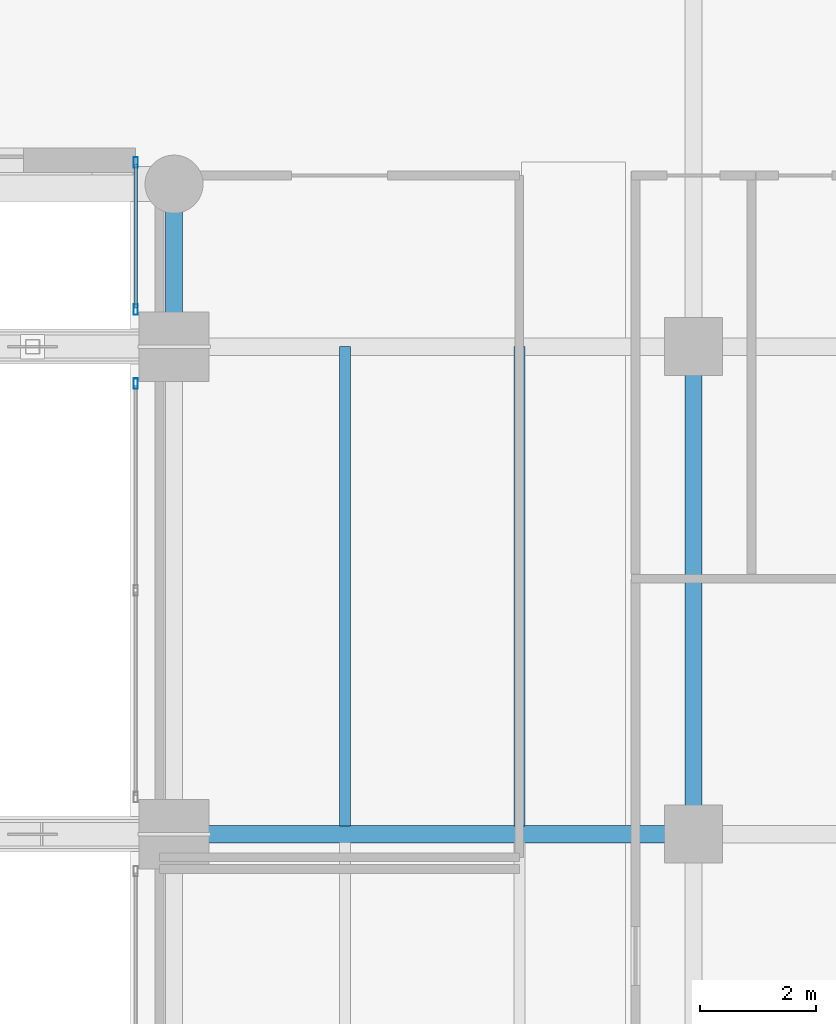
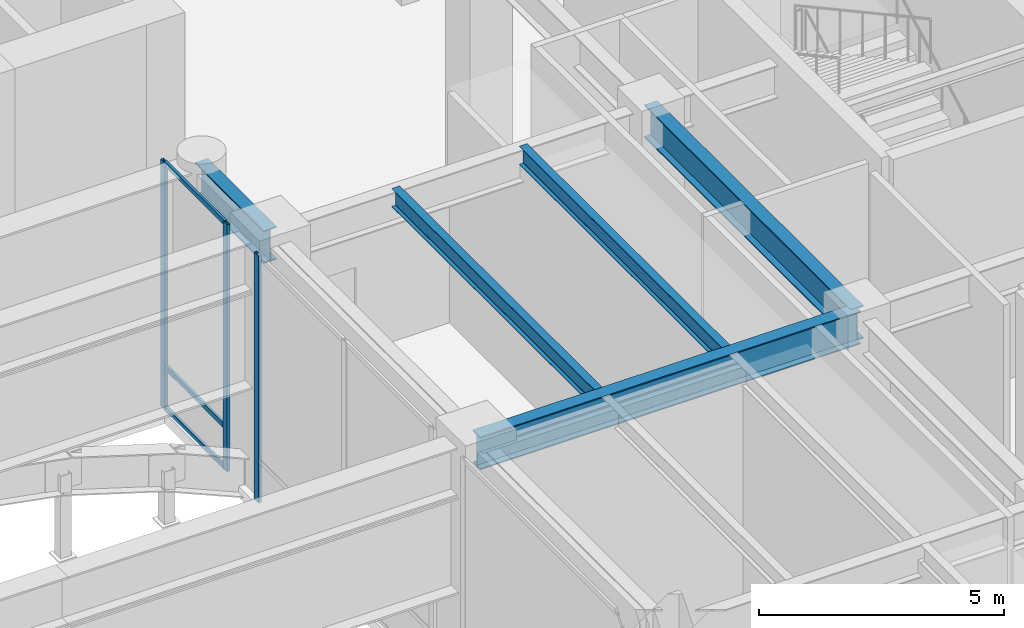
# One storey, part 26 of 50: 6 members, 5 beams, 2 elements without a shape of their own.
"""IFC4 building model written with IfcOpenShell, lengths in metres."""

from ifc_helpers import new_model, si_unit, direction, frame, origin, origin_2d, place, context, subcontext, project, spatial, hollow_rectangle, i_section, extrude, source, transform, mapped, material, layer, layer_set, material_profile, profile_set, type_object, type_shapes, element, aggregate, save


model = new_model("IFC4")

# Units and contexts
model_context = context("Model", 3, precision=1e-05, world=origin(), true_north=direction((0.0, 1.0)))
body_context = subcontext(model_context, "Body", "Model", "MODEL_VIEW")
ifc_project = project(units=[si_unit("LENGTHUNIT", "METRE"), si_unit("AREAUNIT", "SQUARE_METRE"), si_unit("VOLUMEUNIT", "CUBIC_METRE"), si_unit("PLANEANGLEUNIT", "RADIAN"), si_unit("MASSUNIT", "GRAM", prefix="KILO")], contexts=[model_context])

# Site, building, storey
site_placement = place(None, origin())
site = spatial("IfcSite", under=ifc_project, at=site_placement, CompositionType="ELEMENT")
building_placement = place(site_placement, origin())
building = spatial("IfcBuilding", under=site, at=building_placement, Name="Tolvann Quenvar Hotel", CompositionType="ELEMENT")
storey_placement = place(building_placement, frame((0.0, 0.0, 16.0)))
storey = spatial("IfcBuildingStorey", under=building, at=storey_placement, Name="L03", CompositionType="ELEMENT", Elevation=16.0)

# Beams
ifc_material_1 = material(Name="Steel Grade 350", Category="steel")
ifc_material_profile_1 = material_profile(ifc_material_1, i_section(OverallWidth=0.300048828125, OverallDepth=0.81591796875, WebThickness=0.010009765625, FlangeThickness=0.028076171875, at=origin_2d()), Name="800WB192")
ifc_profile_set_1 = profile_set([ifc_material_profile_1], Name="Steel Grade 350")
beam_type_1 = type_object("IfcBeamType", Name="BM_GIRD_800WB192", PredefinedType="BEAM", material=ifc_profile_set_1)
shared_shape_1 = source(origin(), body_context, "Body", "SweptSolid", [
    extrude(i_section(OverallWidth=0.300048828125, OverallDepth=0.81591796875, WebThickness=0.010009765625, FlangeThickness=0.028076171875, at=origin_2d()), origin(), (0.0, 0.0, 1.0), 8.39990234375),
])
beam_1_placement = place(storey_placement, frame((47.199951171875, 16.0, 5.73193359375), z_axis=(0.0, 1.0, 0.0), x_axis=(-1.0, 0.0, 0.0)))
element("IfcBeam", 1, at=beam_1_placement, inside=storey, type_object=beam_type_1, Name="BM-L03-NS-H-2", PredefinedType="BEAM", context=body_context, shape_type="MappedRepresentation", body=[
    mapped(shared_shape_1, transform((0.0, 0.0, 0.0), x_axis=(1.0, 0.0, 0.0), y_axis=(0.0, 1.0, 0.0), z_axis=(0.0, 0.0, 1.0), scale=1.0)),
])
shared_shape_2 = source(origin(), body_context, "Body", "SweptSolid", [
    extrude(i_section(OverallWidth=0.300048828125, OverallDepth=0.81591796875, WebThickness=0.010009765625, FlangeThickness=0.028076171875, at=origin_2d()), origin(), (0.0, 0.0, 1.0), 2.800048828125),
])
beam_2_placement = place(storey_placement, frame((38.25, 24.39990234375, 5.73193359375), z_axis=(0.0, 1.0, 0.0), x_axis=(-1.0, 0.0, 0.0)))
element("IfcBeam", 2, at=beam_2_placement, inside=storey, type_object=beam_type_1, Name="BM-L03-NS-APE-3", PredefinedType="BEAM", context=body_context, shape_type="MappedRepresentation", body=[
    mapped(shared_shape_2, transform((0.0, 0.0, 0.0), x_axis=(1.0, 0.0, 0.0), y_axis=(0.0, 1.0, 0.0), z_axis=(0.0, 0.0, 1.0), scale=1.0)),
])
shared_shape_3 = source(origin(), body_context, "Body", "SweptSolid", [
    extrude(i_section(OverallWidth=0.300048828125, OverallDepth=0.81591796875, WebThickness=0.010009765625, FlangeThickness=0.028076171875, at=origin_2d()), origin(), (0.0, 0.0, 1.0), 8.949951171875),
])
type_shapes(beam_type_1, [shared_shape_1, shared_shape_2, shared_shape_3])
beam_3_placement = place(storey_placement, frame((38.25, 16.0, 5.73193359375), z_axis=(1.0, 0.0, 0.0), x_axis=(0.0, 1.0, 0.0)))
element("IfcBeam", 3, at=beam_3_placement, inside=storey, type_object=beam_type_1, Name="BM-L03-GE1-3", PredefinedType="BEAM", context=body_context, shape_type="MappedRepresentation", body=[
    mapped(shared_shape_3, transform((0.0, 0.0, 0.0), x_axis=(1.0, 0.0, 0.0), y_axis=(0.0, 1.0, 0.0), z_axis=(0.0, 0.0, 1.0), scale=1.0)),
])
ifc_material_profile_2 = material_profile(ifc_material_1, i_section(OverallWidth=0.18994140625, OverallDepth=0.4541015625, WebThickness=0.008544921875, FlangeThickness=0.0126953125, FilletRadius=0.011474609375, at=origin_2d()), Name="460UB67")
ifc_profile_set_2 = profile_set([ifc_material_profile_2], Name="Steel Grade 350")
beam_type_2 = type_object("IfcBeamType", Name="BM_JOIST_460UB67", PredefinedType="JOIST", material=ifc_profile_set_2)
shared_shape_4 = source(origin(), body_context, "Body", "SweptSolid", [
    extrude(i_section(OverallWidth=0.18994140625, OverallDepth=0.4541015625, WebThickness=0.008544921875, FlangeThickness=0.0126953125, FilletRadius=0.011474609375, at=origin_2d()), origin(), (0.0, 0.0, 1.0), 8.255859375),
])
type_shapes(beam_type_2, [shared_shape_4])
for number, where, z_axis, x_axis, name in (
    (4, (41.199951171875, 16.14404296875, 5.9130859375), (0.0, 1.0, 0.0), (-1.0, 0.0, 0.0), "BJ-L03-412-160"),
    (5, (44.199951171875, 16.14404296875, 5.9130859375), (0.0, 1.0, 0.0), (-1.0, 0.0, 0.0), "BJ-L03-442-160"),
):
    element("IfcBeam", number, at=place(storey_placement, frame(where, z_axis=z_axis, x_axis=x_axis)), inside=storey, type_object=beam_type_2, Name=name, PredefinedType="JOIST", context=body_context, shape_type="MappedRepresentation", body=[
        mapped(shared_shape_4, transform((0.0, 0.0, 0.0), x_axis=(1.0, 0.0, 0.0), y_axis=(0.0, 1.0, 0.0), z_axis=(0.0, 0.0, 1.0), scale=1.0)),
    ])

# Curtain wall, members
ifc_material_2 = material(Name="Thermally broken anodised architectural aluminium 6063-T6 and laminated low-E glass", Category="aluminium")
ifc_layer = layer(ifc_material_2, 0.179931640625)
ifc_layer_set = layer_set([ifc_layer], Name="Thermally broken anodised architectural aluminium 6063-T6 and laminated low-E glass")
curtain_wall_type = type_object("IfcCurtainWallType", Name="CW_SYS_ARCH_01", PredefinedType="USERDEFINED", material=ifc_layer_set)
curtain_wall_1_placement = place(storey_placement, origin())
curtain_wall_1 = element("IfcCurtainWall", 6, at=curtain_wall_1_placement, inside=storey, type_object=curtain_wall_type, Name="Curtain Wall CW-ARCH-01 (CWR-L03-E03-S1)", ObjectType="UNITISED CURTAIN WALL", PredefinedType="USERDEFINED")
ifc_material_3 = material(Name="Anodised architectural aluminium 6063-T6 framing", Category="aluminium")
ifc_material_profile_3 = material_profile(ifc_material_3, hollow_rectangle(XDim=0.070068359375, YDim=0.179931640625, WallThickness=0.00390625, at=origin_2d()), Name="180x70x4RHS")
ifc_profile_set_3 = profile_set([ifc_material_profile_3], Name="Anodised architectural aluminium 6063-T6 framing")
member_type_1 = type_object("IfcMemberType", Name="CW_MULL_180x70", PredefinedType="MULLION", material=ifc_profile_set_3)
shared_shape_5 = source(origin(), body_context, "Body", "SweptSolid", [
    extrude(hollow_rectangle(XDim=0.070068359375, YDim=0.179931640625, WallThickness=0.00390625, at=origin_2d()), origin(), (0.0, 0.0, 1.0), 6.139892578125),
])
type_shapes(member_type_1, [shared_shape_5])
member_1_placement = place(storey_placement, frame((37.590087890625, 27.574951171875, 0.0), z_axis=(0.0, 0.0, 1.0), x_axis=(1.0, 0.0, 0.0)))
member_1 = element("IfcMember", 7, at=member_1_placement, type_object=member_type_1, Name="CW-ARCH-01 mullion 1", PredefinedType="MULLION", context=body_context, shape_type="MappedRepresentation", body=[
    mapped(shared_shape_5, transform((0.0, 0.0, 0.0), x_axis=(1.0, 0.0, 0.0), y_axis=(0.0, 1.0, 0.0), z_axis=(0.0, 0.0, 1.0), scale=1.0)),
])
member_2_placement = place(storey_placement, frame((37.590087890625, 25.0390625, 0.0), z_axis=(0.0, 0.0, 1.0), x_axis=(1.0, 0.0, 0.0)))
member_2 = element("IfcMember", 8, at=member_2_placement, type_object=member_type_1, Name="CW-ARCH-01 mullion 2", PredefinedType="MULLION", context=body_context, shape_type="MappedRepresentation", body=[
    mapped(shared_shape_5, transform((0.0, 0.0, 0.0), x_axis=(1.0, 0.0, 0.0), y_axis=(0.0, 1.0, 0.0), z_axis=(0.0, 0.0, 1.0), scale=1.0)),
])

# Curtain wall, member
curtain_wall_2_placement = place(storey_placement, origin())
curtain_wall_2 = element("IfcCurtainWall", 9, at=curtain_wall_2_placement, inside=storey, type_object=curtain_wall_type, Name="Curtain Wall CW-ARCH-01 (CWR-L03-E03-S2)", ObjectType="UNITISED CURTAIN WALL", PredefinedType="USERDEFINED")
member_3_placement = place(storey_placement, frame((37.590087890625, 23.760986328125, 0.0), z_axis=(0.0, 0.0, 1.0), x_axis=(1.0, 0.0, 0.0)))
member_3 = element("IfcMember", 10, at=member_3_placement, type_object=member_type_1, Name="CW-ARCH-01 mullion 1", PredefinedType="MULLION", context=body_context, shape_type="MappedRepresentation", body=[
    mapped(shared_shape_5, transform((0.0, 0.0, 0.0), x_axis=(1.0, 0.0, 0.0), y_axis=(0.0, 1.0, 0.0), z_axis=(0.0, 0.0, 1.0), scale=1.0)),
])
aggregate(curtain_wall_2, [member_3])

# Member
ifc_material_profile_4 = material_profile(ifc_material_3, hollow_rectangle(XDim=0.06005859375, YDim=0.1201171875, WallThickness=0.00341796875, at=origin_2d()), Name="120x60x3.5RHS")
ifc_profile_set_4 = profile_set([ifc_material_profile_4], Name="Anodised architectural aluminium 6063-T6 framing")
member_type_2 = type_object("IfcMemberType", Name="CW_TRAN_120x60", PredefinedType="USERDEFINED", material=ifc_profile_set_4)
shared_shape_6 = source(origin(), body_context, "Body", "SweptSolid", [
    extrude(hollow_rectangle(XDim=0.06005859375, YDim=0.1201171875, WallThickness=0.00341796875, at=origin_2d()), origin(), (0.0, 0.0, 1.0), 2.466064453125),
])
type_shapes(member_type_2, [shared_shape_6])
member_4_placement = place(storey_placement, frame((37.590087890625, 27.5400390625, 0.030029296875), z_axis=(0.0, -1.0, 0.0), x_axis=(1.0, 0.0, 0.0)))
member_4 = element("IfcMember", 11, at=member_4_placement, type_object=member_type_2, Name="CW-ARCH-01 transom 1.1", ObjectType="TRANSOM", PredefinedType="USERDEFINED", context=body_context, shape_type="MappedRepresentation", body=[
    mapped(shared_shape_6, transform((0.0, 0.0, 0.0), x_axis=(1.0, 0.0, 0.0), y_axis=(0.0, 1.0, 0.0), z_axis=(0.0, 0.0, 1.0), scale=1.0)),
])

member_5_placement = place(storey_placement, frame((37.590087890625, 27.5400390625, 1.050048828125), z_axis=(0.0, -1.0, 0.0), x_axis=(1.0, 0.0, 0.0)))
member_5 = element("IfcMember", 12, at=member_5_placement, type_object=member_type_2, Name="CW-ARCH-01 transom 1.2", ObjectType="TRANSOM", PredefinedType="USERDEFINED", context=body_context, shape_type="MappedRepresentation", body=[
    mapped(shared_shape_6, transform((0.0, 0.0, 0.0), x_axis=(1.0, 0.0, 0.0), y_axis=(0.0, 1.0, 0.0), z_axis=(0.0, 0.0, 1.0), scale=1.0)),
])

member_6_placement = place(storey_placement, frame((37.590087890625, 27.5400390625, 6.110107421875), z_axis=(0.0, -1.0, 0.0), x_axis=(1.0, 0.0, 0.0)))
member_6 = element("IfcMember", 13, at=member_6_placement, type_object=member_type_2, Name="CW-ARCH-01 transom 1.3", ObjectType="TRANSOM", PredefinedType="USERDEFINED", context=body_context, shape_type="MappedRepresentation", body=[
    mapped(shared_shape_6, transform((0.0, 0.0, 0.0), x_axis=(1.0, 0.0, 0.0), y_axis=(0.0, 1.0, 0.0), z_axis=(0.0, 0.0, 1.0), scale=1.0)),
])

aggregate(curtain_wall_1, [member_1, member_2, member_4, member_5, member_6])

save(model, "model.ifc")
